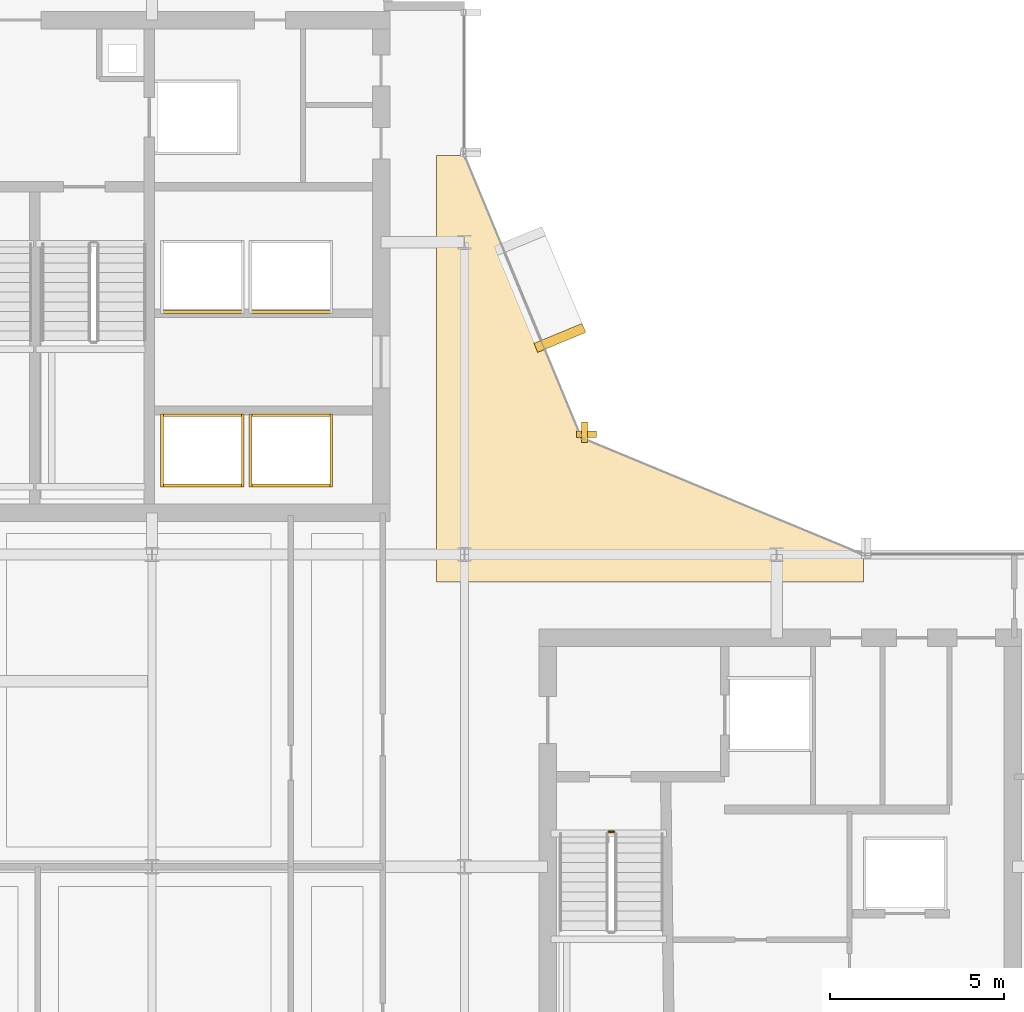
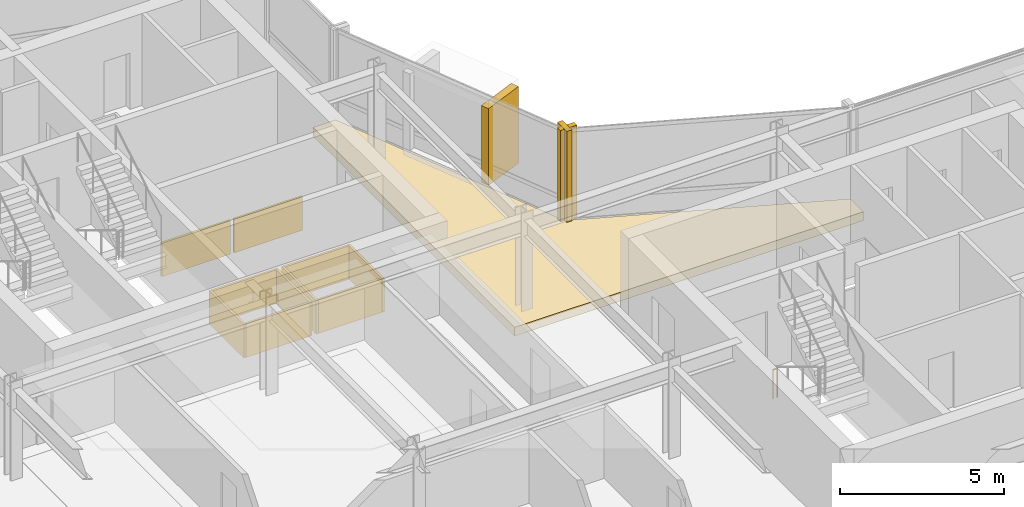
# One storey, part 25 of 27: 14 coverings, 1 railing.
"""IFC4 building model written with IfcOpenShell, lengths in metres."""

import ifcopenshell
import ifcopenshell.guid

model = None  # the IFC model being written
_history = None  # IfcOwnerHistory: only IFC2X3 demands one
_inside = {}  # id of a spatial element -> (the spatial element, [elements in it])
_under = {}  # id of a project, library or spatial element -> (it, [spatial elements below it])
_declared = {}  # id of a project -> (the project, [libraries it declares])
_typed = {}  # id of a type object -> (the type object, [elements of that type])
_made_of = {}  # id of a material, layer set ... -> (it, [elements and type objects made of it])


def new_model(schema):
    """Start an empty IFC model of exactly this schema.

    Asked for "IFC4X3", IfcOpenShell would pick the latest addendum, in which some entities
    have other attributes; the version numbers below select the first issue.
    IFC2X3 requires an IfcOwnerHistory on every rooted entity: one is made here for all.
    """
    global model, _history
    if schema == "IFC4X3":
        model = ifcopenshell.file(schema_version=(4, 3, 0, 0))
    else:
        model = ifcopenshell.file(schema=schema)
    _inside.clear()
    _under.clear()
    _declared.clear()
    _typed.clear()
    _made_of.clear()
    _history = None
    if model.schema == "IFC2X3":
        org = make("IfcOrganization", Name="unknown")
        user = make(
            "IfcPersonAndOrganization",
            ThePerson=make("IfcPerson", FamilyName="unknown"),
            TheOrganization=org,
        )
        app = make(
            "IfcApplication",
            ApplicationDeveloper=org,
            Version="unknown",
            ApplicationFullName="unknown",
            ApplicationIdentifier="unknown",
        )
        _history = make(
            "IfcOwnerHistory",
            OwningUser=user,
            OwningApplication=app,
            ChangeAction="ADDED",
            CreationDate=0,
        )
    return model


def make(cls, **values):
    """One entity of the class cls with the attributes given. An attribute that is None is left unset."""
    return model.create_entity(
        cls, **{name: value for name, value in values.items() if value is not None}
    )


def rooted(cls, **values):
    """An entity with a GlobalId (a new one), such as an element, a storey or a relation."""
    return make(cls, GlobalId=ifcopenshell.guid.new(), OwnerHistory=_history, **values)


def si_unit(unit_type, name, prefix=None):
    """IfcSIUnit, for example si_unit("LENGTHUNIT", "METRE", prefix="MILLI")."""
    return make("IfcSIUnit", UnitType=unit_type, Prefix=prefix, Name=name)


def assignment(units):
    """IfcUnitAssignment: the units of a project."""
    return None if units is None else make("IfcUnitAssignment", Units=units)


def point(xyz):
    """IfcCartesianPoint."""
    return None if xyz is None else make("IfcCartesianPoint", Coordinates=xyz)


def direction(xyz):
    """IfcDirection."""
    return None if xyz is None else make("IfcDirection", DirectionRatios=xyz)


def frame(location, z_axis=None, x_axis=None):
    """IfcAxis2Placement3D, a coordinate frame: its origin and axes. An axis left out is left unset."""
    return make(
        "IfcAxis2Placement3D",
        Location=point(location),
        Axis=direction(z_axis),
        RefDirection=direction(x_axis),
    )


def frame_2d(location, x_axis=None):
    """IfcAxis2Placement2D, a coordinate frame in the plane: its origin and x axis."""
    return make(
        "IfcAxis2Placement2D", Location=point(location), RefDirection=direction(x_axis)
    )


def origin():
    """The frame at (0, 0, 0) with its axes left unset."""
    return frame((0.0, 0.0, 0.0))


def origin_2d():
    """The frame at (0, 0) in the plane with its x axis left unset."""
    return frame_2d((0.0, 0.0))


def place(relative_to, where):
    """IfcLocalPlacement: puts the frame where relative to a parent placement (None: the world)."""
    return make(
        "IfcLocalPlacement", PlacementRelTo=relative_to, RelativePlacement=where
    )


def context(
    kind, dimensions, precision=None, world=None, true_north=None, identifier=None
):
    """IfcGeometricRepresentationContext, for example the 3D "Model" context."""
    return make(
        "IfcGeometricRepresentationContext",
        ContextIdentifier=identifier,
        ContextType=kind,
        CoordinateSpaceDimension=dimensions,
        Precision=precision,
        WorldCoordinateSystem=world,
        TrueNorth=true_north,
    )


def subcontext(parent, identifier, kind, view, scale=None):
    """IfcGeometricRepresentationSubContext, for example "Body" below "Model"."""
    return make(
        "IfcGeometricRepresentationSubContext",
        ContextIdentifier=identifier,
        ContextType=kind,
        ParentContext=parent,
        TargetScale=scale,
        TargetView=view,
    )


def project(units=None, contexts=None):
    """IfcProject with its units and contexts."""
    return rooted(
        "IfcProject",
        Name="project",
        RepresentationContexts=contexts,
        UnitsInContext=assignment(units),
    )


def spatial(cls, under=None, at=None, **own):
    """A site, building, storey or space (cls), placed at a placement, below another one or the project."""
    s = rooted(cls, ObjectPlacement=at, **own)
    if under is not None:
        _under.setdefault(under.id(), (under, []))[1].append(s)
    return s


def polyline(points):
    """IfcPolyline through the points."""
    return make("IfcPolyline", Points=[point(p) for p in points])


def profile(cls, at=None, kind="AREA", **sizes):
    """A parametric profile (cls). Its sizes go by their IFC names, for example OverallWidth=200.0."""
    return make(cls, ProfileType=kind, Position=at, **sizes)


def rectangle(**sizes):
    """IfcRectangleProfileDef."""
    return profile("IfcRectangleProfileDef", **sizes)


def circle(**sizes):
    """IfcCircleProfileDef."""
    return profile("IfcCircleProfileDef", **sizes)


def outline(outer, holes=None, kind="AREA"):
    """IfcArbitraryClosedProfileDef: a profile drawn as a closed curve; with holes, ...WithVoids."""
    if holes is None:
        return make("IfcArbitraryClosedProfileDef", ProfileType=kind, OuterCurve=outer)
    return make(
        "IfcArbitraryProfileDefWithVoids",
        ProfileType=kind,
        OuterCurve=outer,
        InnerCurves=holes,
    )


def extrude(swept, where, along, depth):
    """IfcExtrudedAreaSolid: the profile swept, set in the frame where, extruded along a direction by depth."""
    return make(
        "IfcExtrudedAreaSolid",
        SweptArea=swept,
        Position=where,
        ExtrudedDirection=direction(along),
        Depth=depth,
    )


def shape(context_of_items, identifier, shape_type, items):
    """IfcShapeRepresentation: the items that make up one representation, for example the "Body"."""
    return make(
        "IfcShapeRepresentation",
        ContextOfItems=context_of_items,
        RepresentationIdentifier=identifier,
        RepresentationType=shape_type,
        Items=items,
    )


def material(Name=None, Category=None):
    """IfcMaterial."""
    return make("IfcMaterial", Name=Name, Category=Category)


def layer(
    of_material, thickness, ventilated=None, Name=None, Category=None, Priority=None
):
    """IfcMaterialLayer: one layer of a wall or slab, of a material (None: an air gap)."""
    return make(
        "IfcMaterialLayer",
        Material=of_material,
        LayerThickness=thickness,
        IsVentilated=ventilated,
        Name=Name,
        Category=Category,
        Priority=Priority,
    )


def layer_set(layers, Name=None):
    """IfcMaterialLayerSet."""
    return make("IfcMaterialLayerSet", MaterialLayers=layers, LayerSetName=Name)


def made_of(thing, what):
    """Note that an element or type object is made of a material, layer set ...; save() writes the relation."""
    if what is not None:
        _made_of.setdefault(what.id(), (what, []))[1].append(thing)
    return thing


def type_object(cls, material=None, **own):
    """A type object (cls), such as IfcWallType, which elements share."""
    return made_of(rooted(cls, **own), material)


def element(
    cls,
    number,
    at=None,
    inside=None,
    cuts=None,
    type_object=None,
    material=None,
    context=None,
    identifier="Body",
    shape_type=None,
    held_by="IfcProductDefinitionShape",
    body=None,
    shapes=None,
    **own,
):
    """One element of the class cls, such as IfcWall. Its Tag is "e" and its number.

    at: its placement. inside: the storey or other place that contains it. cuts: it is an
    opening in that element (IfcRelVoidsElement). A single representation is given by context,
    identifier, shape_type and body (its items); several are given by shapes. held_by: the class
    of the entity that holds the representations. save() writes the other relations.
    """
    e = rooted(cls, Tag="e%d" % number, ObjectPlacement=at, **own)
    if body is not None:
        shapes = [shape(context, identifier, shape_type, body)]
    if shapes is not None:
        e.Representation = make(held_by, Representations=shapes)
    if inside is not None:
        _inside.setdefault(inside.id(), (inside, []))[1].append(e)
    if cuts is not None:
        rooted(
            "IfcRelVoidsElement", RelatingBuildingElement=cuts, RelatedOpeningElement=e
        )
    if type_object is not None:
        _typed.setdefault(type_object.id(), (type_object, []))[1].append(e)
    return made_of(e, material)


def aggregate(whole, parts):
    """IfcRelAggregates: a whole, such as a stair, and the parts it consists of."""
    return rooted("IfcRelAggregates", RelatingObject=whole, RelatedObjects=parts)


def save(model, path):
    """Write the relations noted so far, then the file.

    IfcRelAggregates (storeys below a building ...), IfcRelContainedInSpatialStructure (elements
    in a storey), IfcRelDefinesByType, IfcRelAssociatesMaterial and IfcRelDeclares: one each for
    every whole, place, type object, material and project.
    """
    for whole, parts in _under.values():
        aggregate(whole, parts)
    for where, things in _inside.values():
        rooted(
            "IfcRelContainedInSpatialStructure",
            RelatedElements=things,
            RelatingStructure=where,
        )
    for kind, things in _typed.values():
        rooted("IfcRelDefinesByType", RelatedObjects=things, RelatingType=kind)
    for what, things in _made_of.values():
        rooted("IfcRelAssociatesMaterial", RelatedObjects=things, RelatingMaterial=what)
    for by, libraries in _declared.values():
        rooted("IfcRelDeclares", RelatingContext=by, RelatedDefinitions=libraries)
    model.write(path)


model = new_model("IFC4")

# Units and contexts
model_context = context("Model", 3, precision=1e-05, world=origin(), true_north=direction((0.0, 1.0)))
body_context = subcontext(model_context, "Body", "Model", "MODEL_VIEW")
ifc_project = project(units=[si_unit("LENGTHUNIT", "METRE"), si_unit("AREAUNIT", "SQUARE_METRE"), si_unit("VOLUMEUNIT", "CUBIC_METRE"), si_unit("PLANEANGLEUNIT", "RADIAN"), si_unit("MASSUNIT", "GRAM", prefix="KILO")], contexts=[model_context])

# Site, building, storey
site_placement = place(None, origin())
site = spatial("IfcSite", under=ifc_project, at=site_placement, CompositionType="ELEMENT")
building_placement = place(site_placement, origin())
building = spatial("IfcBuilding", under=site, at=building_placement, Name="Solvaryn Broadcast Tower", CompositionType="ELEMENT")
storey_placement = place(building_placement, frame((0.0, 0.0, 189.0)))
storey = spatial("IfcBuildingStorey", under=building, at=storey_placement, Name="L47", CompositionType="ELEMENT", Elevation=189.0)

# Coverings
ifc_material_1 = material(Name="Fire-Rated Gypsum Shaftwall Liner", Category="concrete")
ifc_layer_1 = layer(ifc_material_1, 0.080078125)
ifc_layer_set_1 = layer_set([ifc_layer_1], Name="CV-SHAFT-LINER")
covering_type_1 = type_object("IfcCoveringType", Name="CV-SHAFT-LINER", PredefinedType="CLADDING", material=ifc_layer_set_1)
for number, where, z_axis, x_axis, name in (
    (1, (19.449951171875, 31.014892578125, 0.0), (0.0, 0.0, 1.0), (1.0, 0.0, 0.0), "L47 PH1 Hoistway Shaft Liner North"),
    (2, (19.449951171875, 28.985107421875, 0.0), (0.0, 0.0, 1.0), (1.0, 0.0, 0.0), "L47 PH1 Hoistway Shaft Liner South"),
):
    element("IfcCovering", number, at=place(storey_placement, frame(where, z_axis=z_axis, x_axis=x_axis)), inside=storey, type_object=covering_type_1, Name=name, PredefinedType="CLADDING", context=body_context, shape_type="SweptSolid", body=[
        extrude(rectangle(XDim=2.409912109375, YDim=0.080078125, at=origin_2d()), origin(), (0.0, 0.0, 1.0), 1.25),
    ])
for number, where, z_axis, x_axis, name in (
    (3, (20.614990234375, 30.0, 0.0), (0.0, 0.0, 1.0), (1.0, 0.0, 0.0), "L47 PH1 Hoistway Shaft Liner East"),
    (4, (18.284912109375, 30.0, 0.0), (0.0, 0.0, 1.0), (1.0, 0.0, 0.0), "L47 PH1 Hoistway Shaft Liner West"),
):
    element("IfcCovering", number, at=place(storey_placement, frame(where, z_axis=z_axis, x_axis=x_axis)), inside=storey, type_object=covering_type_1, Name=name, PredefinedType="CLADDING", context=body_context, shape_type="SweptSolid", body=[
        extrude(rectangle(XDim=0.080078125, YDim=2.110107421875, at=origin_2d()), origin(), (0.0, 0.0, 1.0), 1.25),
    ])
for number, where, z_axis, x_axis, name in (
    (5, (22.0, 31.014892578125, 0.0), (0.0, 0.0, 1.0), (1.0, 0.0, 0.0), "L47 PH2 Hoistway Shaft Liner North"),
    (6, (22.0, 28.985107421875, 0.0), (0.0, 0.0, 1.0), (1.0, 0.0, 0.0), "L47 PH2 Hoistway Shaft Liner South"),
):
    element("IfcCovering", number, at=place(storey_placement, frame(where, z_axis=z_axis, x_axis=x_axis)), inside=storey, type_object=covering_type_1, Name=name, PredefinedType="CLADDING", context=body_context, shape_type="SweptSolid", body=[
        extrude(rectangle(XDim=2.409912109375, YDim=0.080078125, at=origin_2d()), origin(), (0.0, 0.0, 1.0), 1.25),
    ])
for number, where, z_axis, x_axis, name in (
    (7, (23.1650390625, 30.0, 0.0), (0.0, 0.0, 1.0), (1.0, 0.0, 0.0), "L47 PH2 Hoistway Shaft Liner East"),
    (8, (20.8349609375, 30.0, 0.0), (0.0, 0.0, 1.0), (1.0, 0.0, 0.0), "L47 PH2 Hoistway Shaft Liner West"),
):
    element("IfcCovering", number, at=place(storey_placement, frame(where, z_axis=z_axis, x_axis=x_axis)), inside=storey, type_object=covering_type_1, Name=name, PredefinedType="CLADDING", context=body_context, shape_type="SweptSolid", body=[
        extrude(rectangle(XDim=0.080078125, YDim=2.110107421875, at=origin_2d()), origin(), (0.0, 0.0, 1.0), 1.25),
    ])
for number, where, z_axis, x_axis, name in (
    (9, (19.449951171875, 33.985107421875, 0.0), (0.0, 0.0, 1.0), (1.0, 0.0, 0.0), "L47 PH3 Hoistway Shaft Liner South"),
    (10, (22.0, 33.985107421875, 0.0), (0.0, 0.0, 1.0), (1.0, 0.0, 0.0), "L47 PH4 Hoistway Shaft Liner South"),
):
    element("IfcCovering", number, at=place(storey_placement, frame(where, z_axis=z_axis, x_axis=x_axis)), inside=storey, type_object=covering_type_1, Name=name, PredefinedType="CLADDING", context=body_context, shape_type="SweptSolid", body=[
        extrude(rectangle(XDim=2.409912109375, YDim=0.080078125, at=origin_2d()), origin(), (0.0, 0.0, 1.0), 1.25),
    ])
ifc_material_2 = material(Name="Glazed Architectural Terracotta Rainscreen Cladding", Category="masonry")
ifc_layer_2 = layer(ifc_material_2, 0.280029296875)
ifc_layer_set_2 = layer_set([ifc_layer_2], Name="CV-TC-CLAD")
covering_type_2 = type_object("IfcCoveringType", Name="CV-TC-CLAD", PredefinedType="CLADDING", material=ifc_layer_set_2)
covering_1_placement = place(storey_placement, frame((29.751953125, 33.241943359375, 0.27978515625), z_axis=(0.0, 0.0, 1.0), x_axis=(-0.382683432365, 0.923879532511, 0.0)))
element("IfcCovering", 11, at=covering_1_placement, inside=storey, type_object=covering_type_2, Name="L47 Projecting Stone Window Box Cheek 5-1", PredefinedType="CLADDING", context=body_context, shape_type="SweptSolid", body=[
    extrude(rectangle(XDim=0.280029296875, YDim=1.5, at=origin_2d()), origin(), (0.0, 0.0, 1.0), 2.860107421875),
])
ifc_material_3 = material(Name="Extruded Architectural Terracotta Fin", Category="masonry")
ifc_layer_3 = layer(ifc_material_3, 0.179931640625)
ifc_layer_set_3 = layer_set([ifc_layer_3], Name="CV-TC-FIN")
covering_type_3 = type_object("IfcCoveringType", Name="CV-TC-FIN", PredefinedType="USERDEFINED", material=ifc_layer_set_3)
covering_2_placement = place(storey_placement, frame((30.464599609375, 30.52294921875, 0.0), z_axis=(0.0, 0.0, 1.0), x_axis=(1.0, 0.0, 0.0)))
element("IfcCovering", 12, at=covering_2_placement, inside=storey, type_object=covering_type_3, Name="L47 Terracotta Vertical Fin FIN-L47-CN1-M01", ObjectType="FIN", PredefinedType="USERDEFINED", context=body_context, shape_type="SweptSolid", body=[
    extrude(rectangle(XDim=0.179931640625, YDim=0.580078125, at=origin_2d()), origin(), (0.0, 0.0, 1.0), 3.419921875),
])
covering_3_placement = place(storey_placement, frame((30.52294921875, 30.464599609375, 0.0), z_axis=(0.0, 0.0, 1.0), x_axis=(1.0, 0.0, 0.0)))
element("IfcCovering", 13, at=covering_3_placement, inside=storey, type_object=covering_type_3, Name="L47 Terracotta Vertical Fin FIN-L47-CN2-M00", ObjectType="FIN", PredefinedType="USERDEFINED", context=body_context, shape_type="SweptSolid", body=[
    extrude(rectangle(XDim=0.580078125, YDim=0.179931640625, at=origin_2d()), origin(), (0.0, 0.0, 1.0), 3.419921875),
])
ifc_material_4 = material(Name="Sculpted Architectural Terracotta Wave Fascia", Category="masonry")
ifc_layer_4 = layer(ifc_material_4, 0.340087890625)
ifc_layer_set_4 = layer_set([ifc_layer_4], Name="CV-WAVE-TRAY")
covering_type_4 = type_object("IfcCoveringType", Name="CV-WAVE-TRAY", PredefinedType="CLADDING", material=ifc_layer_set_4)
covering_4_placement = place(storey_placement, frame((0.0, 0.0, -0.300048828125)))
element("IfcCovering", 14, at=covering_4_placement, inside=storey, type_object=covering_type_4, Name="L47 Concave Canyon Floor Apron", PredefinedType="CLADDING", context=body_context, shape_type="SweptSolid", body=[
    extrude(outline(polyline([(26.199951171875, 26.199951171875), (38.5, 26.199951171875), (38.5, 27.0), (30.367919921875, 30.367919921875), (27.0, 38.5), (26.199951171875, 38.5), (26.199951171875, 26.199951171875)])), origin(), (0.0, 0.0, 1.0), 0.330078125),
])

# Railing
ifc_material_5 = material(Name="Painted Steel Stair Well Guard", Category="steel")
railing_type = type_object("IfcRailingType", Name="RL-STAIR-GUARD", PredefinedType="BALUSTRADE", material=ifc_material_5)
railing_placement = place(storey_placement, frame((31.159912109375, 19.010009765625, 0.0)))
element("IfcRailing", 15, at=railing_placement, inside=storey, type_object=railing_type, Name="L47 ST3 stair guard 4", PredefinedType="BALUSTRADE", context=body_context, shape_type="SweptSolid", body=[
    extrude(circle(Radius=0.02392578125, at=origin_2d()), frame((0.0, 0.0, 1.076171875), z_axis=(1.0, 0.0, 0.0), x_axis=(0.0, 1.0, 0.0)), (0.0, 0.0, 1.0), 0.150146484375),
    extrude(circle(Radius=0.02099609375, at=origin_2d()), origin(), (0.0, 0.0, 1.0), 1.052001953125),
    extrude(circle(Radius=0.02099609375, at=origin_2d()), frame((0.150146484375, 0.0, 0.0)), (0.0, 0.0, 1.0), 1.052001953125),
])

save(model, "model.ifc")
